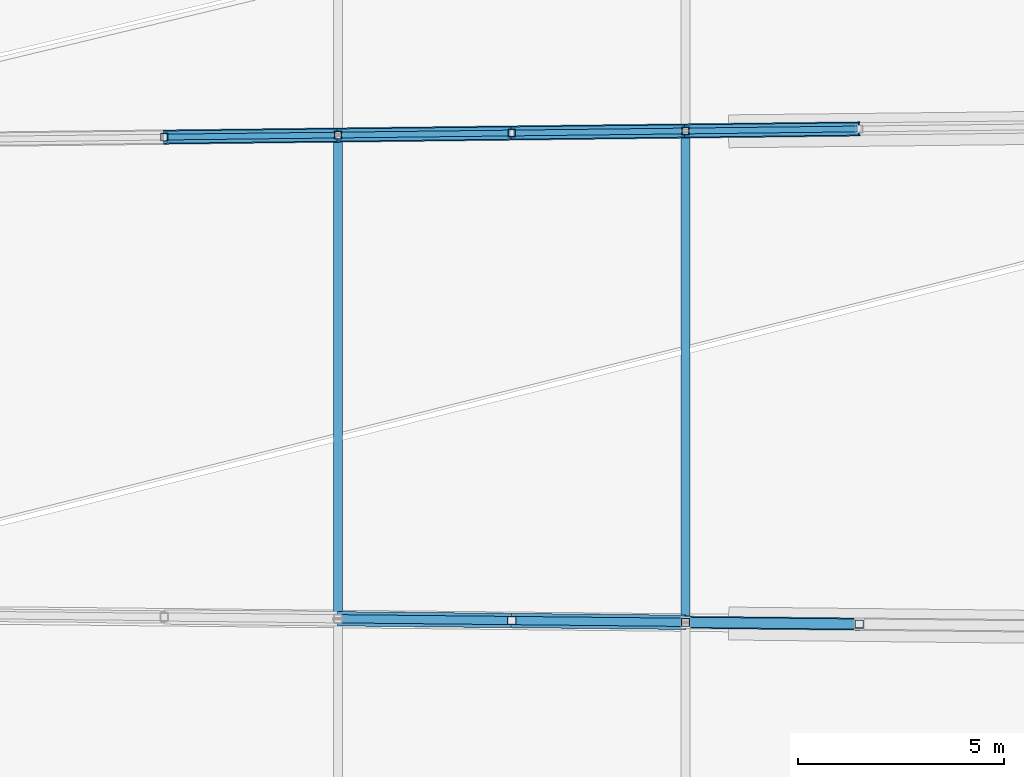
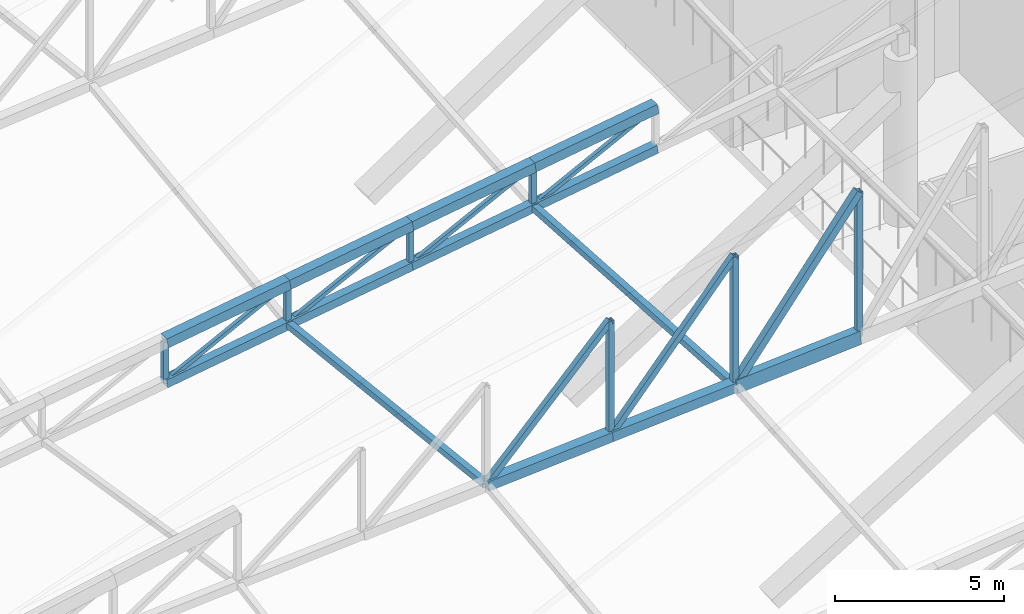
# One storey, part 108 of 344: 27 members.
"""IFC4 building model written with IfcOpenShell, lengths in metres."""

from ifc_helpers import new_model, si_unit, direction, frame, origin, origin_2d, place, context, subcontext, project, spatial, hollow_rectangle, extrude, material, material_profile, profile_set, type_object, element, save


model = new_model("IFC4")

# Units and contexts
model_context = context("Model", 3, precision=1e-05, world=origin(), true_north=direction((0.0, 1.0)))
body_context = subcontext(model_context, "Body", "Model", "MODEL_VIEW")
ifc_project = project(units=[si_unit("LENGTHUNIT", "METRE"), si_unit("AREAUNIT", "SQUARE_METRE"), si_unit("VOLUMEUNIT", "CUBIC_METRE"), si_unit("PLANEANGLEUNIT", "RADIAN"), si_unit("MASSUNIT", "GRAM", prefix="KILO")], contexts=[model_context])

# Site, building, storey
site_placement = place(None, origin())
site = spatial("IfcSite", under=ifc_project, at=site_placement, CompositionType="ELEMENT")
building_placement = place(site_placement, origin())
building = spatial("IfcBuilding", under=site, at=building_placement, Name="Meseta Stadium", CompositionType="ELEMENT")
storey_placement = place(building_placement, frame((0.0, 0.0, 24.0)))
storey = spatial("IfcBuildingStorey", under=building, at=storey_placement, Name="L04", CompositionType="ELEMENT", Elevation=24.0)

# Members
ifc_material_1 = material(Name="Steel S355", Category="steel")
ifc_material_profile_1 = material_profile(ifc_material_1, hollow_rectangle(XDim=0.300048828125, YDim=0.5, WallThickness=0.01611328125, at=origin_2d()), Name="RHS 500x300x16")
ifc_profile_set_1 = profile_set([ifc_material_profile_1], Name="Steel S355")
member_type_1 = type_object("IfcMemberType", Name="RHS 500x300x16 bottom chord", PredefinedType="CHORD", material=ifc_profile_set_1)
member_1_placement = place(storey_placement, frame((72.33154296875, -5.951171875, 5.722412109375), z_axis=(0.996788056664, -0.010259527818, 0.079424883895), x_axis=(0.010292041883, 0.999947035534, 0.0)))
element("IfcMember", 1, at=member_1_placement, inside=storey, type_object=member_type_1, Name="ROOF TRUSS RT-04 bottom chord", PredefinedType="CHORD", context=body_context, shape_type="SweptSolid", body=[
    extrude(hollow_rectangle(XDim=0.300048828125, YDim=0.5, WallThickness=0.01611328125, at=origin_2d()), origin(), (0.0, 0.0, 1.0), 4.23583984375),
])
ifc_material_2 = material(Name="Steel S355", Category="steel")
ifc_material_profile_2 = material_profile(ifc_material_2, hollow_rectangle(XDim=0.139892578125, YDim=0.139892578125, WallThickness=0.0048828125, at=origin_2d()), Name="SHS 140x140x5")
ifc_profile_set_2 = profile_set([ifc_material_profile_2], Name="Steel S355")
member_type_2 = type_object("IfcMemberType", Name="SHS 140x140x5 diagonal", PredefinedType="BRACE", material=ifc_profile_set_2)
member_2_placement = place(storey_placement, frame((59.66552734375, 5.839599609375, 3.122802734375), z_axis=(0.896122355516, 0.010519449382, 0.443682392178), x_axis=(-0.011738045144, 0.999931106775, 0.0)))
element("IfcMember", 2, at=member_2_placement, inside=storey, type_object=member_type_2, Name="ROOF TRUSS RT-05 diagonal", PredefinedType="BRACE", context=body_context, shape_type="SweptSolid", body=[
    extrude(hollow_rectangle(XDim=0.139892578125, YDim=0.139892578125, WallThickness=0.0048828125, at=origin_2d()), origin(), (0.0, 0.0, 1.0), 4.71142578125),
])
member_3_placement = place(storey_placement, frame((63.887451171875, 5.88916015625, 3.73583984375), z_axis=(0.896142958309, 0.010519691236, 0.443640771762), x_axis=(-0.011738045144, 0.999931106775, 0.0)))
element("IfcMember", 3, at=member_3_placement, inside=storey, type_object=member_type_2, Name="ROOF TRUSS RT-05 diagonal", PredefinedType="BRACE", context=body_context, shape_type="SweptSolid", body=[
    extrude(hollow_rectangle(XDim=0.139892578125, YDim=0.139892578125, WallThickness=0.0048828125, at=origin_2d()), origin(), (0.0, 0.0, 1.0), 4.711181640625),
])
for number, where, z_axis, x_axis, name in (
    (4, (68.109375, 5.938720703125, 4.3486328125), (0.896122355516, 0.010519449382, 0.443682392178), (-0.011738045144, 0.999931106775, 0.0), "ROOF TRUSS RT-05 diagonal"),
    (5, (72.331298828125, 5.98828125, 4.96142578125), (0.896121865822, 0.010571263553, 0.443682149723), (-0.011795860001, 0.999930426423, 0.0), "ROOF TRUSS RT-05 diagonal"),
):
    element("IfcMember", number, at=place(storey_placement, frame(where, z_axis=z_axis, x_axis=x_axis)), inside=storey, type_object=member_type_2, Name=name, PredefinedType="BRACE", context=body_context, shape_type="SweptSolid", body=[
        extrude(hollow_rectangle(XDim=0.139892578125, YDim=0.139892578125, WallThickness=0.0048828125, at=origin_2d()), origin(), (0.0, 0.0, 1.0), 4.71142578125),
    ])
ifc_material_3 = material(Name="Steel S355", Category="steel")
ifc_material_profile_3 = material_profile(ifc_material_3, hollow_rectangle(XDim=0.179931640625, YDim=0.179931640625, WallThickness=0.00634765625, at=origin_2d()), Name="SHS 180x180x6.3")
ifc_profile_set_3 = profile_set([ifc_material_profile_3], Name="Steel S355")
member_type_3 = type_object("IfcMemberType", Name="SHS 180x180x6.3 post", PredefinedType="POST", material=ifc_profile_set_3)
member_4_placement = place(storey_placement, frame((59.66552734375, 5.839599609375, 3.122802734375), z_axis=(0.0, 0.0, 1.0), x_axis=(1.0, 0.0, 0.0)))
element("IfcMember", 6, at=member_4_placement, inside=storey, type_object=member_type_3, Name="ROOF TRUSS RT-05 post", PredefinedType="POST", context=body_context, shape_type="SweptSolid", body=[
    extrude(hollow_rectangle(XDim=0.179931640625, YDim=0.179931640625, WallThickness=0.00634765625, at=origin_2d()), origin(), (0.0, 0.0, 1.0), 1.4775390625),
])
for number, where, z_axis, x_axis, name in (
    (7, (63.887451171875, 5.88916015625, 3.73583984375), (0.0, 0.0, 1.0), (1.0, 0.0, 0.0), "ROOF TRUSS RT-05 post"),
    (8, (68.109375, 5.938720703125, 4.3486328125), (0.0, 0.0, 1.0), (1.0, 0.0, 0.0), "ROOF TRUSS RT-05 post"),
):
    element("IfcMember", number, at=place(storey_placement, frame(where, z_axis=z_axis, x_axis=x_axis)), inside=storey, type_object=member_type_3, Name=name, PredefinedType="POST", context=body_context, shape_type="SweptSolid", body=[
        extrude(hollow_rectangle(XDim=0.179931640625, YDim=0.179931640625, WallThickness=0.00634765625, at=origin_2d()), origin(), (0.0, 0.0, 1.0), 1.477294921875),
    ])
member_5_placement = place(storey_placement, frame((72.331298828125, 5.98828125, 4.96142578125), z_axis=(0.0, 0.0, 1.0), x_axis=(1.0, 0.0, 0.0)))
element("IfcMember", 9, at=member_5_placement, inside=storey, type_object=member_type_3, Name="ROOF TRUSS RT-05 post", PredefinedType="POST", context=body_context, shape_type="SweptSolid", body=[
    extrude(hollow_rectangle(XDim=0.179931640625, YDim=0.179931640625, WallThickness=0.00634765625, at=origin_2d()), origin(), (0.0, 0.0, 1.0), 1.4775390625),
])
ifc_material_4 = material(Name="Steel S355", Category="steel")
ifc_material_profile_4 = material_profile(ifc_material_4, hollow_rectangle(XDim=0.199951171875, YDim=0.199951171875, WallThickness=0.008056640625, at=origin_2d()), Name="SHS 200x200x8")
ifc_profile_set_4 = profile_set([ifc_material_profile_4], Name="Steel S355")
member_type_4 = type_object("IfcMemberType", Name="SHS 200x200x8 diagonal", PredefinedType="BRACE", material=ifc_profile_set_4)
member_6_placement = place(storey_placement, frame((63.8876953125, -5.864501953125, 5.0498046875), z_axis=(0.686056558819, -0.007022032667, 0.727514322305), x_axis=(0.010234819248, 0.999947622866, 0.0)))
element("IfcMember", 10, at=member_6_placement, inside=storey, type_object=member_type_4, Name="ROOF TRUSS RT-04 diagonal", PredefinedType="BRACE", context=body_context, shape_type="SweptSolid", body=[
    extrude(hollow_rectangle(XDim=0.199951171875, YDim=0.199951171875, WallThickness=0.008056640625, at=origin_2d()), origin(), (0.0, 0.0, 1.0), 6.15380859375),
])
member_7_placement = place(storey_placement, frame((68.109619140625, -5.90771484375, 5.38623046875), z_axis=(0.643249517982, -0.006621084497, 0.765627989859), x_axis=(0.010292636977, 0.999947029409, 0.0)))
element("IfcMember", 11, at=member_7_placement, inside=storey, type_object=member_type_4, Name="ROOF TRUSS RT-04 diagonal", PredefinedType="BRACE", context=body_context, shape_type="SweptSolid", body=[
    extrude(hollow_rectangle(XDim=0.199951171875, YDim=0.199951171875, WallThickness=0.008056640625, at=origin_2d()), origin(), (0.0, 0.0, 1.0), 6.5634765625),
])
ifc_material_5 = material(Name="Steel S355", Category="steel")
ifc_material_profile_5 = material_profile(ifc_material_5, hollow_rectangle(XDim=0.199951171875, YDim=0.199951171875, WallThickness=0.008056640625, at=origin_2d()), Name="SHS 200x200x8")
ifc_profile_set_5 = profile_set([ifc_material_profile_5], Name="Steel S355")
member_type_5 = type_object("IfcMemberType", Name="SHS 200x200x8 post", PredefinedType="POST", material=ifc_profile_set_5)
member_8_placement = place(storey_placement, frame((68.109619140625, -5.90771484375, 5.38623046875), z_axis=(0.0, 0.0, 1.0), x_axis=(1.0, 0.0, 0.0)))
element("IfcMember", 12, at=member_8_placement, inside=storey, type_object=member_type_5, Name="ROOF TRUSS RT-04 post", PredefinedType="POST", context=body_context, shape_type="SweptSolid", body=[
    extrude(hollow_rectangle(XDim=0.199951171875, YDim=0.199951171875, WallThickness=0.008056640625, at=origin_2d()), origin(), (0.0, 0.0, 1.0), 4.140625),
])
member_9_placement = place(storey_placement, frame((72.33154296875, -5.951171875, 5.722412109375), z_axis=(0.0, 0.0, 1.0), x_axis=(1.0, 0.0, 0.0)))
element("IfcMember", 13, at=member_9_placement, inside=storey, type_object=member_type_5, Name="ROOF TRUSS RT-04 post", PredefinedType="POST", context=body_context, shape_type="SweptSolid", body=[
    extrude(hollow_rectangle(XDim=0.199951171875, YDim=0.199951171875, WallThickness=0.008056640625, at=origin_2d()), origin(), (0.0, 0.0, 1.0), 4.68896484375),
])
member_10_placement = place(storey_placement, frame((76.5537109375, -5.99462890625, 6.058837890625), z_axis=(0.0, 0.0, 1.0), x_axis=(1.0, 0.0, 0.0)))
element("IfcMember", 14, at=member_10_placement, inside=storey, type_object=member_type_5, Name="ROOF TRUSS RT-04 post", PredefinedType="POST", context=body_context, shape_type="SweptSolid", body=[
    extrude(hollow_rectangle(XDim=0.199951171875, YDim=0.199951171875, WallThickness=0.008056640625, at=origin_2d()), origin(), (0.0, 0.0, 1.0), 5.237060546875),
])
ifc_material_6 = material(Name="Steel S355", Category="steel")
ifc_material_profile_6 = material_profile(ifc_material_6, hollow_rectangle(XDim=0.219970703125, YDim=0.219970703125, WallThickness=0.008056640625, at=origin_2d()), Name="SHS 220x220x8")
ifc_profile_set_6 = profile_set([ifc_material_profile_6], Name="Steel S355")
member_type_6 = type_object("IfcMemberType", Name="SHS 220x220x8 strut", PredefinedType="STRUT", material=ifc_profile_set_6)
member_11_placement = place(storey_placement, frame((63.8876953125, -5.864501953125, 5.0498046875), z_axis=(-2.0642861e-05, 0.993809245774, -0.111099876633), x_axis=(-0.999999999784, -2.0771452e-05, 0.0)))
element("IfcMember", 15, at=member_11_placement, inside=storey, type_object=member_type_6, Name="ROOF TRUSS STRUT RT-04/05", PredefinedType="STRUT", context=body_context, shape_type="SweptSolid", body=[
    extrude(hollow_rectangle(XDim=0.219970703125, YDim=0.219970703125, WallThickness=0.008056640625, at=origin_2d()), origin(), (0.0, 0.0, 1.0), 11.826904296875),
])
member_12_placement = place(storey_placement, frame((72.33154296875, -5.951171875, 5.722412109375), z_axis=(-2.0406817e-05, 0.997974957556, -0.06360804725), x_axis=(-0.999999999791, -2.0448225e-05, 0.0)))
element("IfcMember", 16, at=member_12_placement, inside=storey, type_object=member_type_6, Name="ROOF TRUSS STRUT RT-04/05", PredefinedType="STRUT", context=body_context, shape_type="SweptSolid", body=[
    extrude(hollow_rectangle(XDim=0.219970703125, YDim=0.219970703125, WallThickness=0.008056640625, at=origin_2d()), origin(), (0.0, 0.0, 1.0), 11.963623046875),
])
ifc_material_7 = material(Name="Steel S355", Category="steel")
ifc_material_profile_7 = material_profile(ifc_material_7, hollow_rectangle(XDim=0.25, YDim=0.25, WallThickness=0.010009765625, at=origin_2d()), Name="SHS 250x250x10")
ifc_profile_set_7 = profile_set([ifc_material_profile_7], Name="Steel S355")
member_type_7 = type_object("IfcMemberType", Name="SHS 250x250x10 diagonal", PredefinedType="BRACE", material=ifc_profile_set_7)
member_13_placement = place(storey_placement, frame((72.33154296875, -5.951171875, 5.722412109375), z_axis=(0.603830564015, -0.006214978628, 0.797088466861), x_axis=(0.010292041883, 0.999947035534, 0.0)))
element("IfcMember", 17, at=member_13_placement, inside=storey, type_object=member_type_7, Name="ROOF TRUSS RT-04 diagonal", PredefinedType="BRACE", context=body_context, shape_type="SweptSolid", body=[
    extrude(hollow_rectangle(XDim=0.25, YDim=0.25, WallThickness=0.010009765625, at=origin_2d()), origin(), (0.0, 0.0, 1.0), 6.9921875),
])
ifc_material_8 = material(Name="Steel S355", Category="steel")
ifc_material_profile_8 = material_profile(ifc_material_8, hollow_rectangle(XDim=0.300048828125, YDim=0.300048828125, WallThickness=0.010009765625, at=origin_2d()), Name="SHS 300x300x10")
ifc_profile_set_8 = profile_set([ifc_material_profile_8], Name="Steel S355")
member_type_8 = type_object("IfcMemberType", Name="SHS 300x300x10 bottom chord", PredefinedType="CHORD", material=ifc_profile_set_8)
member_14_placement = place(storey_placement, frame((59.66552734375, 5.839599609375, 3.122802734375), z_axis=(0.989555060386, 0.011616242252, 0.143686622138), x_axis=(-0.011738045144, 0.999931106775, 0.0)))
element("IfcMember", 18, at=member_14_placement, inside=storey, type_object=member_type_8, Name="ROOF TRUSS RT-05 bottom chord", PredefinedType="CHORD", context=body_context, shape_type="SweptSolid", body=[
    extrude(hollow_rectangle(XDim=0.300048828125, YDim=0.300048828125, WallThickness=0.010009765625, at=origin_2d()), origin(), (0.0, 0.0, 1.0), 4.2666015625),
])
for number, where, z_axis, x_axis, name in (
    (19, (63.887451171875, 5.88916015625, 3.73583984375), (0.989563195146, 0.011616337744, 0.143630579993), (-0.011738045144, 0.999931106775, 0.0), "ROOF TRUSS RT-05 bottom chord"),
    (20, (68.109375, 5.938720703125, 4.3486328125), (0.989563195146, 0.011616337744, 0.143630579993), (-0.011738045144, 0.999931106775, 0.0), "ROOF TRUSS RT-05 bottom chord"),
    (21, (72.331298828125, 5.98828125, 4.96142578125), (0.989562535739, 0.011673553304, 0.143630484283), (-0.011795860001, 0.999930426423, 0.0), "ROOF TRUSS RT-05 bottom chord"),
):
    element("IfcMember", number, at=place(storey_placement, frame(where, z_axis=z_axis, x_axis=x_axis)), inside=storey, type_object=member_type_8, Name=name, PredefinedType="CHORD", context=body_context, shape_type="SweptSolid", body=[
        extrude(hollow_rectangle(XDim=0.300048828125, YDim=0.300048828125, WallThickness=0.010009765625, at=origin_2d()), origin(), (0.0, 0.0, 1.0), 4.266357421875),
    ])
ifc_material_9 = material(Name="Steel S355", Category="steel")
ifc_material_profile_9 = material_profile(ifc_material_9, hollow_rectangle(XDim=0.35009765625, YDim=0.35009765625, WallThickness=0.010009765625, at=origin_2d()), Name="SHS 350x350x10")
ifc_profile_set_9 = profile_set([ifc_material_profile_9], Name="Steel S355")
member_type_9 = type_object("IfcMemberType", Name="SHS 350x350x10 top chord", PredefinedType="CHORD", material=ifc_profile_set_9)
for number, where, z_axis, x_axis, name in (
    (22, (59.66552734375, 5.839599609375, 4.600341796875), (0.989563195146, 0.011616337744, 0.143630579993), (-0.011738045144, 0.999931106775, 0.0), "ROOF TRUSS RT-05 top chord"),
    (23, (63.887451171875, 5.88916015625, 5.213134765625), (0.989563195146, 0.011616337744, 0.143630579993), (-0.011738045144, 0.999931106775, 0.0), "ROOF TRUSS RT-05 top chord"),
):
    element("IfcMember", number, at=place(storey_placement, frame(where, z_axis=z_axis, x_axis=x_axis)), inside=storey, type_object=member_type_9, Name=name, PredefinedType="CHORD", context=body_context, shape_type="SweptSolid", body=[
        extrude(hollow_rectangle(XDim=0.35009765625, YDim=0.35009765625, WallThickness=0.010009765625, at=origin_2d()), origin(), (0.0, 0.0, 1.0), 4.266357421875),
    ])
member_15_placement = place(storey_placement, frame((68.109375, 5.938720703125, 5.825927734375), z_axis=(0.989555060386, 0.011616242252, 0.143686622138), x_axis=(-0.011738045144, 0.999931106775, 0.0)))
element("IfcMember", 24, at=member_15_placement, inside=storey, type_object=member_type_9, Name="ROOF TRUSS RT-05 top chord", PredefinedType="CHORD", context=body_context, shape_type="SweptSolid", body=[
    extrude(hollow_rectangle(XDim=0.35009765625, YDim=0.35009765625, WallThickness=0.010009765625, at=origin_2d()), origin(), (0.0, 0.0, 1.0), 4.2666015625),
])
member_16_placement = place(storey_placement, frame((72.331298828125, 5.98828125, 6.43896484375), z_axis=(0.989562535739, 0.011673553304, 0.143630484283), x_axis=(-0.011795860001, 0.999930426423, 0.0)))
element("IfcMember", 25, at=member_16_placement, inside=storey, type_object=member_type_9, Name="ROOF TRUSS RT-05 top chord", PredefinedType="CHORD", context=body_context, shape_type="SweptSolid", body=[
    extrude(hollow_rectangle(XDim=0.35009765625, YDim=0.35009765625, WallThickness=0.010009765625, at=origin_2d()), origin(), (0.0, 0.0, 1.0), 4.266357421875),
])
ifc_material_10 = material(Name="Steel S355", Category="steel")
ifc_material_profile_10 = material_profile(ifc_material_10, hollow_rectangle(XDim=0.35009765625, YDim=0.35009765625, WallThickness=0.01416015625, at=origin_2d()), Name="SHS 350x350x14.2")
ifc_profile_set_10 = profile_set([ifc_material_profile_10], Name="Steel S355")
member_type_10 = type_object("IfcMemberType", Name="SHS 350x350x14.2 bottom chord", PredefinedType="CHORD", material=ifc_profile_set_10)
for number, where, z_axis, x_axis, name in (
    (26, (63.8876953125, -5.864501953125, 5.0498046875), (0.996788274817, -0.010202482198, 0.079429494171), (0.010234819248, 0.999947622866, 0.0), "ROOF TRUSS RT-04 bottom chord"),
    (27, (68.109619140625, -5.90771484375, 5.38623046875), (0.996792249037, -0.010260164247, 0.079372169486), (0.010292636977, 0.999947029409, 0.0), "ROOF TRUSS RT-04 bottom chord"),
):
    element("IfcMember", number, at=place(storey_placement, frame(where, z_axis=z_axis, x_axis=x_axis)), inside=storey, type_object=member_type_10, Name=name, PredefinedType="CHORD", context=body_context, shape_type="SweptSolid", body=[
        extrude(hollow_rectangle(XDim=0.35009765625, YDim=0.35009765625, WallThickness=0.01416015625, at=origin_2d()), origin(), (0.0, 0.0, 1.0), 4.235595703125),
    ])

save(model, "model.ifc")
